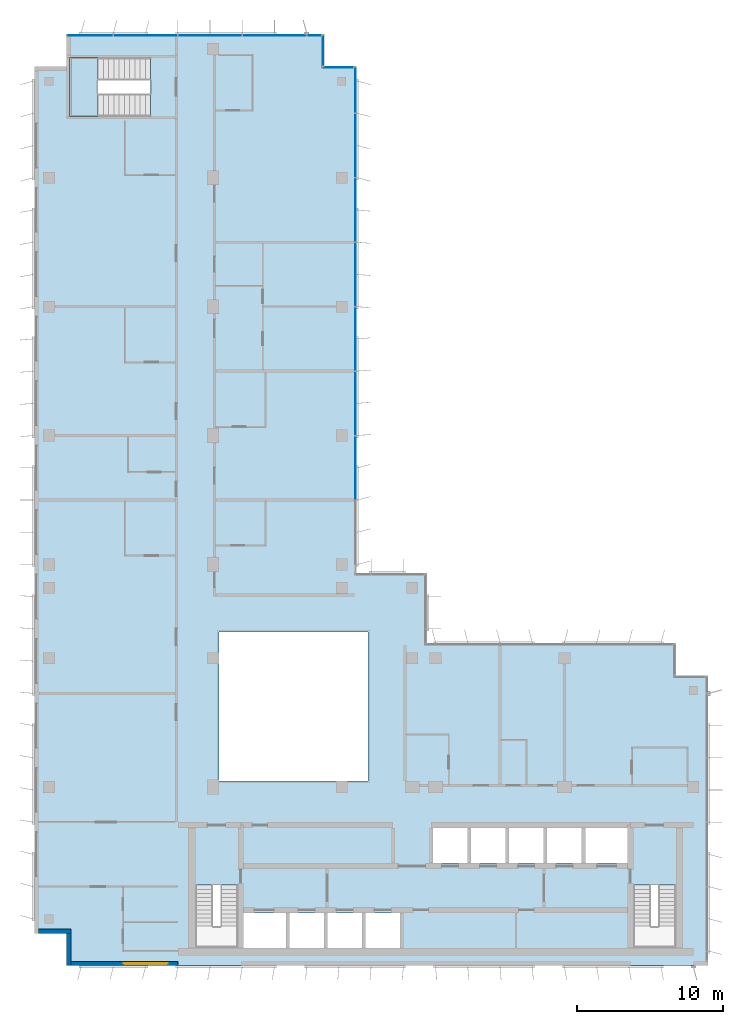
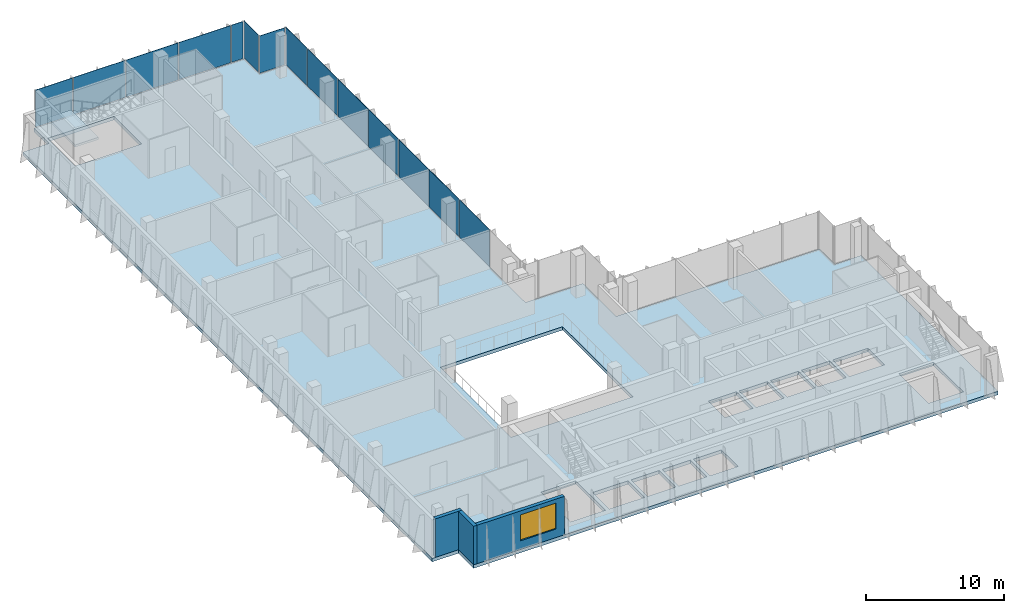
# One storey, part 8 of 15: 14 plates, 3 walls, 2 slabs, 1 window, 1 opening, 5 elements without a shape of their own.
"""IFC4 building model written with IfcOpenShell, lengths in metres."""

from ifc_helpers import new_model, si_unit, direction, frame, frame_2d, origin, origin_2d, place, context, subcontext, project, spatial, polyline, rectangle, outline, extrude, source, transform, mapped, material, layer, layer_set, type_object, element, fill, aggregate, save


model = new_model("IFC4")

# Units and contexts
model_context = context("Model", 3, precision=1e-05, world=origin(), true_north=direction((0.0, 1.0)))
body_context = subcontext(model_context, "Body", "Model", "MODEL_VIEW")
ifc_project = project(units=[si_unit("LENGTHUNIT", "METRE"), si_unit("AREAUNIT", "SQUARE_METRE"), si_unit("VOLUMEUNIT", "CUBIC_METRE"), si_unit("PLANEANGLEUNIT", "RADIAN"), si_unit("MASSUNIT", "GRAM", prefix="KILO")], contexts=[model_context])

# Site, building, storey
site_placement = place(None, origin())
site = spatial("IfcSite", under=ifc_project, at=site_placement, CompositionType="ELEMENT")
building_placement = place(site_placement, origin())
building = spatial("IfcBuilding", under=site, at=building_placement, Name="Kemantara Hotel Tower", CompositionType="ELEMENT")
storey_placement = place(building_placement, frame((0.0, 0.0, 261.10009765625)))
storey = spatial("IfcBuildingStorey", under=building, at=storey_placement, Name="L65", CompositionType="ELEMENT", Elevation=261.10009765625)

# Slab
ifc_material_1 = material(Name="Concrete fc 40 MPa", Category="concrete")
ifc_layer_1 = layer(ifc_material_1, 0.300048828125)
ifc_layer_set_1 = layer_set([ifc_layer_1], Name="Concrete fc 40 MPa")
slab_type_1 = type_object("IfcSlabType", Name="POST-TENSIONED FLAT PLATE 300", PredefinedType="FLOOR", material=ifc_layer_set_1)
slab_1_placement = place(storey_placement, frame((0.0, 0.0, -0.300048828125)))
element("IfcSlab", 1, at=slab_1_placement, inside=storey, type_object=slab_type_1, Name="FLOOR SLAB L65", PredefinedType="FLOOR", context=body_context, shape_type="SweptSolid", body=[
    extrude(outline(polyline([(22.0, 26.800048828125), (22.0, 61.39990234375), (19.800048828125, 61.39990234375), (19.800048828125, 63.60009765625), (2.199951171875, 63.60009765625), (2.199951171875, 61.39990234375), (0.0, 61.39990234375), (0.0, 2.199951171875), (2.199951171875, 2.199951171875), (2.199951171875, 0.0), (46.0, 0.0), (46.0, 19.800048828125), (43.800048828125, 19.800048828125), (43.800048828125, 22.0), (26.800048828125, 22.0), (26.800048828125, 26.800048828125), (22.0, 26.800048828125)]), holes=[polyline([(17.175048828125, 3.60009765625), (17.175048828125, 1.199951171875), (14.22509765625, 1.199951171875), (14.22509765625, 3.60009765625), (17.175048828125, 3.60009765625)]), polyline([(19.77490234375, 1.199951171875), (17.425048828125, 1.199951171875), (17.425048828125, 3.60009765625), (19.77490234375, 3.60009765625), (19.77490234375, 1.199951171875)]), polyline([(22.375, 1.199951171875), (20.02490234375, 1.199951171875), (20.02490234375, 3.60009765625), (22.375, 3.60009765625), (22.375, 1.199951171875)]), polyline([(24.97509765625, 3.60009765625), (24.97509765625, 1.199951171875), (22.625, 1.199951171875), (22.625, 3.60009765625), (24.97509765625, 3.60009765625)]), polyline([(11.0, 1.199951171875), (11.0, 5.49951171875), (13.89990234375, 5.49951171875), (13.89990234375, 1.199951171875), (11.0, 1.199951171875)]), polyline([(22.800048828125, 12.60009765625), (12.60009765625, 12.60009765625), (12.60009765625, 22.800048828125), (22.800048828125, 22.800048828125), (22.800048828125, 12.60009765625)]), polyline([(2.39990234375, 58.0), (2.39990234375, 62.0), (7.949462890625, 62.0), (7.949462890625, 58.0), (2.39990234375, 58.0)]), polyline([(40.89990234375, 1.199951171875), (40.89990234375, 5.49951171875), (43.800048828125, 5.49951171875), (43.800048828125, 1.199951171875), (40.89990234375, 1.199951171875)]), polyline([(29.574951171875, 7.0), (27.22509765625, 7.0), (27.22509765625, 9.39990234375), (29.574951171875, 9.39990234375), (29.574951171875, 7.0)]), polyline([(32.175048828125, 7.0), (29.824951171875, 7.0), (29.824951171875, 9.39990234375), (32.175048828125, 9.39990234375), (32.175048828125, 7.0)]), polyline([(34.77490234375, 7.0), (32.425048828125, 7.0), (32.425048828125, 9.39990234375), (34.77490234375, 9.39990234375), (34.77490234375, 7.0)]), polyline([(37.375, 7.0), (35.02490234375, 7.0), (35.02490234375, 9.39990234375), (37.375, 9.39990234375), (37.375, 7.0)]), polyline([(40.574951171875, 7.0), (37.625, 7.0), (37.625, 9.39990234375), (40.574951171875, 9.39990234375), (40.574951171875, 7.0)])]), origin(), (0.0, 0.0, 1.0), 0.300048828125),
])

# Stair, slab
stair_type = type_object("IfcStairType", Name="Stair 1550 wide 22 risers of 168 x 360 mm", PredefinedType="HALF_TURN_STAIR", material=ifc_material_1)
stair_placement = place(storey_placement, origin())
stair = element("IfcStair", 2, at=stair_placement, inside=storey, type_object=stair_type, Name="L65 Exit stair ST4", PredefinedType="HALF_TURN_STAIR")
ifc_layer_2 = layer(ifc_material_1, 0.199951171875)
ifc_layer_set_2 = layer_set([ifc_layer_2], Name="Concrete fc 40 MPa")
slab_type_2 = type_object("IfcSlabType", Name="Stair landing 200 mm", PredefinedType="LANDING", material=ifc_layer_set_2)
slab_2_placement = place(storey_placement, frame((0.0, 0.0, 1.64990234375)))
slab_2 = element("IfcSlab", 3, at=slab_2_placement, type_object=slab_type_2, Name="ST4 landing 1", PredefinedType="LANDING", context=body_context, shape_type="SweptSolid", body=[
    extrude(outline(polyline([(4.35009765625, 62.0), (2.39990234375, 62.0), (2.39990234375, 58.0), (4.35009765625, 58.0), (4.35009765625, 62.0)])), origin(), (0.0, 0.0, 1.0), 0.199951171875),
])
aggregate(stair, [slab_2])

# Curtain wall, plates
ifc_material_2 = material(Name="Low-E tinted double insulated glass 36 mm", Category="glass")
curtain_wall_type = type_object("IfcCurtainWallType", Name="TOWER CURTAIN WALL, FRONT FACES", PredefinedType="USERDEFINED", material=ifc_material_2)
curtain_wall_1_placement = place(storey_placement, origin())
curtain_wall_1 = element("IfcCurtainWall", 4, at=curtain_wall_1_placement, inside=storey, type_object=curtain_wall_type, Name="CW4 L65 T4-R02-1", ObjectType="TOWER CURTAIN WALL, FRONT FACES", PredefinedType="USERDEFINED")
ifc_layer_3 = layer(ifc_material_2, 0.035888671875)
ifc_layer_set_3 = layer_set([ifc_layer_3], Name="Low-E tinted double insulated glass 36 mm")
plate_type = type_object("IfcPlateType", Name="TOWER CURTAIN WALL, FRONT FACES PANEL", PredefinedType="CURTAIN_PANEL", material=ifc_layer_set_3)
shared_shape_1 = source(origin(), body_context, "Body", "SweptSolid", [
    extrude(rectangle(XDim=4.340087890625, YDim=0.035888671875, at=origin_2d()), origin(), (0.0, 0.0, 1.0), 3.280029296875),
])
plate_1_placement = place(storey_placement, frame((16.39990234375, 63.52490234375, 0.1201171875), z_axis=(0.0, 0.0, 1.0), x_axis=(-1.0, 0.0, 0.0)))
plate_1 = element("IfcPlate", 5, at=plate_1_placement, type_object=plate_type, Name="CW4 glass panel T4-R02-1.2", PredefinedType="CURTAIN_PANEL", context=body_context, shape_type="MappedRepresentation", body=[
    mapped(shared_shape_1, transform((0.0, 0.0, 0.0))),
])
plate_2_placement = place(storey_placement, frame((12.0, 63.52490234375, 0.1201171875), z_axis=(0.0, 0.0, 1.0), x_axis=(-1.0, 0.0, 0.0)))
plate_2 = element("IfcPlate", 6, at=plate_2_placement, type_object=plate_type, Name="CW4 glass panel T4-R02-1.3", PredefinedType="CURTAIN_PANEL", context=body_context, shape_type="MappedRepresentation", body=[
    mapped(shared_shape_1, transform((0.0, 0.0, 0.0))),
])
plate_3_placement = place(storey_placement, frame((7.60009765625, 63.52490234375, 0.1201171875), z_axis=(0.0, 0.0, 1.0), x_axis=(-1.0, 0.0, 0.0)))
plate_3 = element("IfcPlate", 7, at=plate_3_placement, type_object=plate_type, Name="CW4 glass panel T4-R02-1.4", PredefinedType="CURTAIN_PANEL", context=body_context, shape_type="MappedRepresentation", body=[
    mapped(shared_shape_1, transform((0.0, 0.0, 0.0))),
])

curtain_wall_2_placement = place(storey_placement, origin())
curtain_wall_2 = element("IfcCurtainWall", 8, at=curtain_wall_2_placement, inside=storey, type_object=curtain_wall_type, Name="CW4 L65 T4-R15-1", ObjectType="TOWER CURTAIN WALL, FRONT FACES", PredefinedType="USERDEFINED")
plate_4_placement = place(storey_placement, frame((21.925048828125, 34.0, 0.1201171875), z_axis=(0.0, 0.0, 1.0), x_axis=(0.0, 1.0, 0.0)))
plate_4 = element("IfcPlate", 9, at=plate_4_placement, type_object=plate_type, Name="CW4 glass panel T4-R15-1.3", PredefinedType="CURTAIN_PANEL", context=body_context, shape_type="MappedRepresentation", body=[
    mapped(shared_shape_1, transform((0.0, 0.0, 0.0))),
])
plate_5_placement = place(storey_placement, frame((21.925048828125, 38.39990234375, 0.1201171875), z_axis=(0.0, 0.0, 1.0), x_axis=(0.0, 1.0, 0.0)))
plate_5 = element("IfcPlate", 10, at=plate_5_placement, type_object=plate_type, Name="CW4 glass panel T4-R15-1.4", PredefinedType="CURTAIN_PANEL", context=body_context, shape_type="MappedRepresentation", body=[
    mapped(shared_shape_1, transform((0.0, 0.0, 0.0))),
])
plate_6_placement = place(storey_placement, frame((21.925048828125, 42.800048828125, 0.1201171875), z_axis=(0.0, 0.0, 1.0), x_axis=(0.0, 1.0, 0.0)))
plate_6 = element("IfcPlate", 11, at=plate_6_placement, type_object=plate_type, Name="CW4 glass panel T4-R15-1.5", PredefinedType="CURTAIN_PANEL", context=body_context, shape_type="MappedRepresentation", body=[
    mapped(shared_shape_1, transform((0.0, 0.0, 0.0))),
])
plate_7_placement = place(storey_placement, frame((21.925048828125, 47.199951171875, 0.1201171875), z_axis=(0.0, 0.0, 1.0), x_axis=(0.0, 1.0, 0.0)))
plate_7 = element("IfcPlate", 12, at=plate_7_placement, type_object=plate_type, Name="CW4 glass panel T4-R15-1.6", PredefinedType="CURTAIN_PANEL", context=body_context, shape_type="MappedRepresentation", body=[
    mapped(shared_shape_1, transform((0.0, 0.0, 0.0))),
])
plate_8_placement = place(storey_placement, frame((21.925048828125, 51.60009765625, 0.1201171875), z_axis=(0.0, 0.0, 1.0), x_axis=(0.0, 1.0, 0.0)))
plate_8 = element("IfcPlate", 13, at=plate_8_placement, type_object=plate_type, Name="CW4 glass panel T4-R15-1.7", PredefinedType="CURTAIN_PANEL", context=body_context, shape_type="MappedRepresentation", body=[
    mapped(shared_shape_1, transform((0.0, 0.0, 0.0))),
])
plate_9_placement = place(storey_placement, frame((21.925048828125, 56.0, 0.1201171875), z_axis=(0.0, 0.0, 1.0), x_axis=(0.0, 1.0, 0.0)))
plate_9 = element("IfcPlate", 14, at=plate_9_placement, type_object=plate_type, Name="CW4 glass panel T4-R15-1.8", PredefinedType="CURTAIN_PANEL", context=body_context, shape_type="MappedRepresentation", body=[
    mapped(shared_shape_1, transform((0.0, 0.0, 0.0))),
])

# Plate
shared_shape_2 = source(origin(), body_context, "Body", "SweptSolid", [
    extrude(rectangle(XDim=3.110107421875, YDim=0.035888671875, at=origin_2d()), origin(), (0.0, 0.0, 1.0), 3.280029296875),
])
plate_10_placement = place(storey_placement, frame((3.81494140625, 63.52490234375, 0.1201171875), z_axis=(0.0, 0.0, 1.0), x_axis=(-1.0, 0.0, 0.0)))
plate_10 = element("IfcPlate", 15, at=plate_10_placement, type_object=plate_type, Name="CW4 glass panel T4-R02-1.5", PredefinedType="CURTAIN_PANEL", context=body_context, shape_type="MappedRepresentation", body=[
    mapped(shared_shape_2, transform((0.0, 0.0, 0.0))),
])

plate_11_placement = place(storey_placement, frame((21.925048828125, 59.784912109375, 0.1201171875), z_axis=(0.0, 0.0, 1.0), x_axis=(0.0, 1.0, 0.0)))
plate_11 = element("IfcPlate", 16, at=plate_11_placement, type_object=plate_type, Name="CW4 glass panel T4-R15-1.9", PredefinedType="CURTAIN_PANEL", context=body_context, shape_type="MappedRepresentation", body=[
    mapped(shared_shape_2, transform((0.0, 0.0, 0.0))),
])

aggregate(curtain_wall_2, [plate_4, plate_5, plate_6, plate_7, plate_8, plate_9, plate_11])

# Curtain wall, plate
curtain_wall_3_placement = place(storey_placement, origin())
curtain_wall_3 = element("IfcCurtainWall", 17, at=curtain_wall_3_placement, inside=storey, type_object=curtain_wall_type, Name="CW4 L65 T4-R00-1", ObjectType="TOWER CURTAIN WALL, FRONT FACES", PredefinedType="USERDEFINED")
shared_shape_3 = source(origin(), body_context, "Body", "SweptSolid", [
    extrude(rectangle(XDim=2.080078125, YDim=0.035888671875, at=origin_2d()), origin(), (0.0, 0.0, 1.0), 3.280029296875),
])
plate_12_placement = place(storey_placement, frame((20.75, 61.324951171875, 0.1201171875), z_axis=(0.0, 0.0, 1.0), x_axis=(-1.0, 0.0, 0.0)))
plate_12 = element("IfcPlate", 18, at=plate_12_placement, type_object=plate_type, Name="CW4 glass panel T4-R00-1.1", PredefinedType="CURTAIN_PANEL", context=body_context, shape_type="MappedRepresentation", body=[
    mapped(shared_shape_3, transform((0.0, 0.0, 0.0))),
])
aggregate(curtain_wall_3, [plate_12])

curtain_wall_4_placement = place(storey_placement, origin())
curtain_wall_4 = element("IfcCurtainWall", 19, at=curtain_wall_4_placement, inside=storey, type_object=curtain_wall_type, Name="CW4 L65 T4-R01-1", ObjectType="TOWER CURTAIN WALL, FRONT FACES", PredefinedType="USERDEFINED")
plate_13_placement = place(storey_placement, frame((19.72509765625, 62.5, 0.1201171875), z_axis=(0.0, 0.0, 1.0), x_axis=(0.0, 1.0, 0.0)))
plate_13 = element("IfcPlate", 20, at=plate_13_placement, type_object=plate_type, Name="CW4 glass panel T4-R01-1.1", PredefinedType="CURTAIN_PANEL", context=body_context, shape_type="MappedRepresentation", body=[
    mapped(shared_shape_3, transform((0.0, 0.0, 0.0))),
])
aggregate(curtain_wall_4, [plate_13])

# Plate
shared_shape_4 = source(origin(), body_context, "Body", "SweptSolid", [
    extrude(rectangle(XDim=0.9599609375, YDim=0.035888671875, at=origin_2d()), origin(), (0.0, 0.0, 1.0), 3.280029296875),
])
plate_14_placement = place(storey_placement, frame((19.110107421875, 63.52490234375, 0.1201171875), z_axis=(0.0, 0.0, 1.0), x_axis=(-1.0, 0.0, 0.0)))
plate_14 = element("IfcPlate", 21, at=plate_14_placement, type_object=plate_type, Name="CW4 glass panel T4-R02-1.1", PredefinedType="CURTAIN_PANEL", context=body_context, shape_type="MappedRepresentation", body=[
    mapped(shared_shape_4, transform((0.0, 0.0, 0.0))),
])

aggregate(curtain_wall_1, [plate_14, plate_1, plate_2, plate_3, plate_10])

# Walls
ifc_material_3 = material(Name="Bronze anodised aluminium cladding on insulated steel stud wall", Category="steel")
ifc_layer_4 = layer(ifc_material_3, 0.300048828125)
ifc_layer_set_4 = layer_set([ifc_layer_4], Name="Bronze anodised aluminium cladding on insulated steel stud wall")
wall_type = type_object("IfcWallType", Name="BRONZE METAL-CLAD EXTERNAL WALL 300", PredefinedType="STANDARD", material=ifc_layer_set_4)
for number, where, z_axis, x_axis, name in (
    (22, (0.300048828125, 2.35009765625, 0.0), (0.0, 0.0, 1.0), (1.0, 0.0, 0.0), "EXTERNAL WALL L65 T4-R06"),
    (23, (2.35009765625, 2.199951171875, 0.0), (0.0, 0.0, 1.0), (0.0, -1.0, 0.0), "EXTERNAL WALL L65 T4-R07"),
):
    element("IfcWall", number, at=place(storey_placement, frame(where, z_axis=z_axis, x_axis=x_axis)), inside=storey, type_object=wall_type, Name=name, PredefinedType="STANDARD", context=body_context, shape_type="SweptSolid", body=[
        extrude(rectangle(XDim=2.199951171875, YDim=0.300048828125, at=frame_2d((1.10009765625, 0.0))), origin(), (0.0, 0.0, 1.0), 3.39990234375),
    ])

# Wall, opening, window
wall_placement = place(storey_placement, frame((2.5, 0.14990234375, 0.0), z_axis=(0.0, 0.0, 1.0), x_axis=(1.0, 0.0, 0.0)))
wall = element("IfcWall", 24, at=wall_placement, inside=storey, type_object=wall_type, Name="EXTERNAL WALL L65 T4-R08", PredefinedType="STANDARD", context=body_context, shape_type="SweptSolid", body=[
    extrude(rectangle(XDim=7.300048828125, YDim=0.300048828125, at=frame_2d((3.64990234375, 0.0))), origin(), (0.0, 0.0, 1.0), 3.39990234375),
])
opening_placement = place(wall_placement, frame((3.60009765625, 0.0, 0.75)))
opening = element("IfcOpeningElement", 25, at=opening_placement, cuts=wall, Name="Opening W1", PredefinedType="OPENING", context=body_context, shape_type="SweptSolid", body=[
    extrude(rectangle(XDim=3.0, YDim=2.300048828125, at=frame_2d((1.5, 1.14990234375))), frame((0.0, 0.159912109375, 0.0), z_axis=(0.0, -1.0, 0.0), x_axis=(1.0, 0.0, 0.0)), (0.0, 0.0, 1.0), 0.320068359375),
])
ifc_material_4 = material(Name="Low-E tinted double insulated glass in bronze anodised aluminium frame", Category="aluminium")
window_type = type_object("IfcWindowType", Name="CHICAGO WINDOW, TRIPLE PANEL 3000x2300", PartitioningType="TRIPLE_PANEL_VERTICAL", PredefinedType="WINDOW", material=ifc_material_4)
window_placement = place(opening_placement, origin())
window = element("IfcWindow", 26, at=window_placement, inside=storey, type_object=window_type, Name="CHICAGO WINDOW L65 T4-R08-54", OverallHeight=2.300048828125, OverallWidth=3.0, PartitioningType="SINGLE_PANEL", PredefinedType="WINDOW", context=body_context, shape_type="SweptSolid", body=[
    extrude(rectangle(XDim=3.0, YDim=2.300048828125, at=frame_2d((1.5, 1.14990234375))), frame((0.0, 0.030029296875, 0.0), z_axis=(0.0, -1.0, 0.0), x_axis=(1.0, 0.0, 0.0)), (0.0, 0.0, 1.0), 0.06005859375),
])
fill(opening, window)

save(model, "model.ifc")
